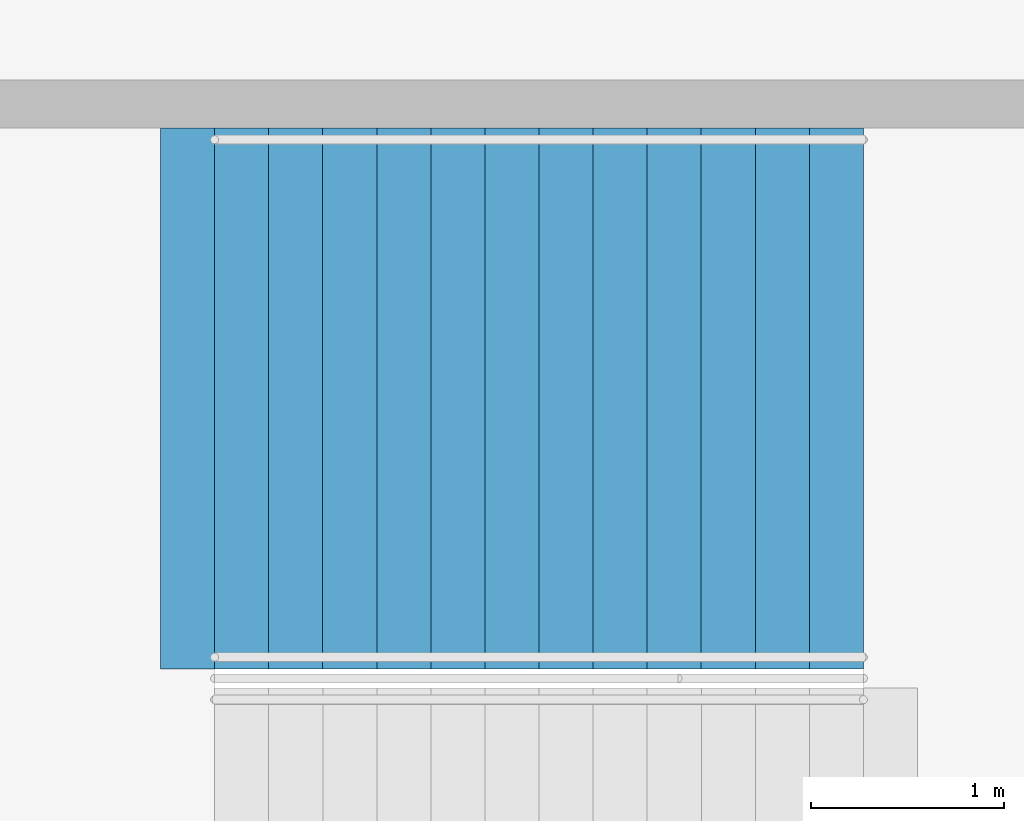
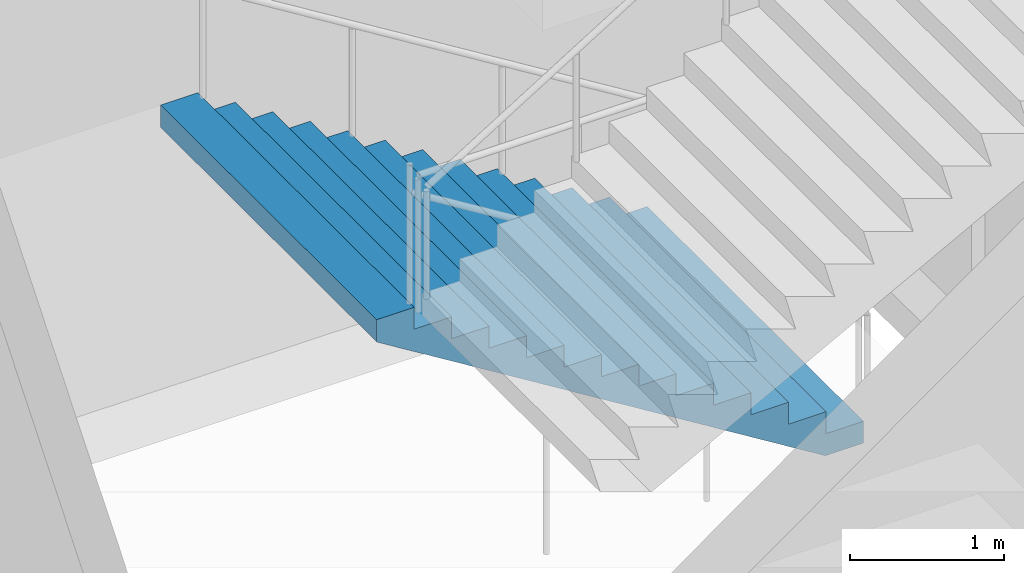
# One storey, part 130 of 199: 1 stair flight, 1 element without a shape of its own.
"""IFC4 building model written with IfcOpenShell, lengths in metres."""

from ifc_helpers import new_model, si_unit, direction, frame, origin, place, context, subcontext, project, spatial, faceted_brep, material, type_object, element, aggregate, save


model = new_model("IFC4")

# Units and contexts
model_context = context("Model", 3, precision=1e-05, world=origin(), true_north=direction((0.0, 1.0)))
body_context = subcontext(model_context, "Body", "Model", "MODEL_VIEW")
ifc_project = project(units=[si_unit("LENGTHUNIT", "METRE"), si_unit("AREAUNIT", "SQUARE_METRE"), si_unit("VOLUMEUNIT", "CUBIC_METRE"), si_unit("PLANEANGLEUNIT", "RADIAN"), si_unit("MASSUNIT", "GRAM", prefix="KILO")], contexts=[model_context])

# Site, building, storey
site_placement = place(None, origin())
site = spatial("IfcSite", under=ifc_project, at=site_placement, CompositionType="ELEMENT")
building_placement = place(site_placement, origin())
building = spatial("IfcBuilding", under=site, at=building_placement, Name="Ogive Plaza Stadium", CompositionType="ELEMENT")
storey_placement = place(building_placement, frame((0.0, 0.0, 9.0)))
storey = spatial("IfcBuildingStorey", under=building, at=storey_placement, Name="L02", CompositionType="ELEMENT", Elevation=9.0)

# Stair, stair flight
ifc_material_1 = material(Name="Concrete C40/50", Category="concrete")
stair_type = type_object("IfcStairType", Name="Exit stair", PredefinedType="STRAIGHT_RUN_STAIR", material=ifc_material_1)
stair_placement = place(storey_placement, origin())
stair = element("IfcStair", 1, at=stair_placement, inside=storey, type_object=stair_type, Name="Exit stair ST24A L02 to L03", PredefinedType="STRAIGHT_RUN_STAIR")
ifc_material_2 = material(Name="Concrete C40/50", Category="concrete")
stair_flight_type = type_object("IfcStairFlightType", Name="Exit stair flight", PredefinedType="STRAIGHT", material=ifc_material_2)
stair_flight_placement = place(storey_placement, frame((-76.35009765625, -3.074951171875, 0.0), z_axis=(0.0, 0.0, 1.0), x_axis=(-1.0, 0.0, 0.0)))
stair_flight = element("IfcStairFlight", 2, at=stair_flight_placement, type_object=stair_flight_type, Name="ST24A flight 1", NumberOfRisers=13, NumberOfTreads=12, PredefinedType="STRAIGHT", RiserHeight=0.173076923, TreadLength=0.28, context=body_context, shape_type="Brep", body=[
    faceted_brep([(0.28515625, -1.39990234375, 0.0), (3.639892578125, -1.39990234375, 2.07373046875), (3.639892578125, -1.39990234375, 2.25), (3.360107421875, -1.39990234375, 2.25), (3.360107421875, -1.39990234375, 2.076904296875), (3.080078125, -1.39990234375, 2.076904296875), (3.080078125, -1.39990234375, 1.90380859375), (2.800048828125, -1.39990234375, 1.90380859375), (2.800048828125, -1.39990234375, 1.730712890625), (2.52001953125, -1.39990234375, 1.730712890625), (2.52001953125, -1.39990234375, 1.5576171875), (2.239990234375, -1.39990234375, 1.5576171875), (2.239990234375, -1.39990234375, 1.384521484375), (1.9599609375, -1.39990234375, 1.384521484375), (1.9599609375, -1.39990234375, 1.21142578125), (1.679931640625, -1.39990234375, 1.21142578125), (1.679931640625, -1.39990234375, 1.03857421875), (1.39990234375, -1.39990234375, 1.03857421875), (1.39990234375, -1.39990234375, 0.865478515625), (1.1201171875, -1.39990234375, 0.865478515625), (1.1201171875, -1.39990234375, 0.6923828125), (0.840087890625, -1.39990234375, 0.6923828125), (0.840087890625, -1.39990234375, 0.519287109375), (0.56005859375, -1.39990234375, 0.519287109375), (0.56005859375, -1.39990234375, 0.34619140625), (0.280029296875, -1.39990234375, 0.34619140625), (0.280029296875, -1.39990234375, 0.173095703125), (0.0, -1.39990234375, 0.173095703125), (0.0, -1.39990234375, 0.0), (0.0, 1.39990234375, 0.0), (0.0, 1.39990234375, 0.173095703125), (0.280029296875, 1.39990234375, 0.173095703125), (0.280029296875, 1.39990234375, 0.34619140625), (0.56005859375, 1.39990234375, 0.34619140625), (0.56005859375, 1.39990234375, 0.519287109375), (0.840087890625, 1.39990234375, 0.519287109375), (0.840087890625, 1.39990234375, 0.6923828125), (1.1201171875, 1.39990234375, 0.6923828125), (1.1201171875, 1.39990234375, 0.865478515625), (1.39990234375, 1.39990234375, 0.865478515625), (1.39990234375, 1.39990234375, 1.03857421875), (1.679931640625, 1.39990234375, 1.03857421875), (1.679931640625, 1.39990234375, 1.21142578125), (1.9599609375, 1.39990234375, 1.21142578125), (1.9599609375, 1.39990234375, 1.384521484375), (2.239990234375, 1.39990234375, 1.384521484375), (2.239990234375, 1.39990234375, 1.5576171875), (2.52001953125, 1.39990234375, 1.5576171875), (2.52001953125, 1.39990234375, 1.730712890625), (2.800048828125, 1.39990234375, 1.730712890625), (2.800048828125, 1.39990234375, 1.90380859375), (3.080078125, 1.39990234375, 1.90380859375), (3.080078125, 1.39990234375, 2.076904296875), (3.360107421875, 1.39990234375, 2.076904296875), (3.360107421875, 1.39990234375, 2.25), (3.639892578125, 1.39990234375, 2.25), (3.639892578125, 1.39990234375, 2.07373046875), (0.28515625, 1.39990234375, 0.0), (0.28515625, -1.0888671875, 0.0), (3.639892578125, -1.0888671875, 2.07373046875), (0.28515625, -0.77783203125, 0.0), (3.639892578125, -0.77783203125, 2.07373046875), (0.28515625, -0.466796875, 0.0), (3.639892578125, -0.466796875, 2.07373046875), (0.28515625, -0.155517578125, 0.0), (3.639892578125, -0.155517578125, 2.07373046875), (0.28515625, 0.155517578125, 0.0), (3.639892578125, 0.155517578125, 2.07373046875), (0.28515625, 0.466796875, 0.0), (3.639892578125, 0.466796875, 2.07373046875), (0.28515625, 0.77783203125, 0.0), (3.639892578125, 0.77783203125, 2.07373046875), (0.28515625, 1.0888671875, 0.0), (3.639892578125, 1.0888671875, 2.07373046875), (3.639892578125, -1.0888671875, 2.25), (3.639892578125, -0.77783203125, 2.25), (3.639892578125, -0.466796875, 2.25), (3.639892578125, -0.155517578125, 2.25), (3.639892578125, 0.155517578125, 2.25), (3.639892578125, 0.466796875, 2.25), (3.639892578125, 0.77783203125, 2.25), (3.639892578125, 1.0888671875, 2.25), (3.360107421875, -1.0888671875, 2.25), (3.360107421875, -0.77783203125, 2.25), (3.360107421875, -0.466796875, 2.25), (3.360107421875, -0.155517578125, 2.25), (3.360107421875, 0.155517578125, 2.25), (3.360107421875, 0.466796875, 2.25), (3.360107421875, 0.77783203125, 2.25), (3.360107421875, 1.0888671875, 2.25), (3.360107421875, -1.0888671875, 2.076904296875), (3.360107421875, -0.77783203125, 2.076904296875), (3.360107421875, -0.466796875, 2.076904296875), (3.360107421875, -0.155517578125, 2.076904296875), (3.360107421875, 0.155517578125, 2.076904296875), (3.360107421875, 0.466796875, 2.076904296875), (3.360107421875, 0.77783203125, 2.076904296875), (3.360107421875, 1.0888671875, 2.076904296875), (3.080078125, -1.0888671875, 2.076904296875), (3.080078125, -0.77783203125, 2.076904296875), (3.080078125, -0.466796875, 2.076904296875), (3.080078125, -0.155517578125, 2.076904296875), (3.080078125, 0.155517578125, 2.076904296875), (3.080078125, 0.466796875, 2.076904296875), (3.080078125, 0.77783203125, 2.076904296875), (3.080078125, 1.0888671875, 2.076904296875), (3.080078125, -1.0888671875, 1.90380859375), (3.080078125, -0.77783203125, 1.90380859375), (3.080078125, -0.466796875, 1.90380859375), (3.080078125, -0.155517578125, 1.90380859375), (3.080078125, 0.155517578125, 1.90380859375), (3.080078125, 0.466796875, 1.90380859375), (3.080078125, 0.77783203125, 1.90380859375), (3.080078125, 1.0888671875, 1.90380859375), (2.800048828125, -1.0888671875, 1.90380859375), (2.800048828125, -0.77783203125, 1.90380859375), (2.800048828125, -0.466796875, 1.90380859375), (2.800048828125, -0.155517578125, 1.90380859375), (2.800048828125, 0.155517578125, 1.90380859375), (2.800048828125, 0.466796875, 1.90380859375), (2.800048828125, 0.77783203125, 1.90380859375), (2.800048828125, 1.0888671875, 1.90380859375), (2.800048828125, -1.0888671875, 1.730712890625), (2.800048828125, -0.77783203125, 1.730712890625), (2.800048828125, -0.466796875, 1.730712890625), (2.800048828125, -0.155517578125, 1.730712890625), (2.800048828125, 0.155517578125, 1.730712890625), (2.800048828125, 0.466796875, 1.730712890625), (2.800048828125, 0.77783203125, 1.730712890625), (2.800048828125, 1.0888671875, 1.730712890625), (2.52001953125, -1.0888671875, 1.730712890625), (2.52001953125, -0.77783203125, 1.730712890625), (2.52001953125, -0.466796875, 1.730712890625), (2.52001953125, -0.155517578125, 1.730712890625), (2.52001953125, 0.155517578125, 1.730712890625), (2.52001953125, 0.466796875, 1.730712890625), (2.52001953125, 0.77783203125, 1.730712890625), (2.52001953125, 1.0888671875, 1.730712890625), (2.52001953125, -1.0888671875, 1.5576171875), (2.52001953125, -0.77783203125, 1.5576171875), (2.52001953125, -0.466796875, 1.5576171875), (2.52001953125, -0.155517578125, 1.5576171875), (2.52001953125, 0.155517578125, 1.5576171875), (2.52001953125, 0.466796875, 1.5576171875), (2.52001953125, 0.77783203125, 1.5576171875), (2.52001953125, 1.0888671875, 1.5576171875), (2.239990234375, -1.0888671875, 1.5576171875), (2.239990234375, -0.77783203125, 1.5576171875), (2.239990234375, -0.466796875, 1.5576171875), (2.239990234375, -0.155517578125, 1.5576171875), (2.239990234375, 0.155517578125, 1.5576171875), (2.239990234375, 0.466796875, 1.5576171875), (2.239990234375, 0.77783203125, 1.5576171875), (2.239990234375, 1.0888671875, 1.5576171875), (2.239990234375, -1.0888671875, 1.384521484375), (2.239990234375, -0.77783203125, 1.384521484375), (2.239990234375, -0.466796875, 1.384521484375), (2.239990234375, -0.155517578125, 1.384521484375), (2.239990234375, 0.155517578125, 1.384521484375), (2.239990234375, 0.466796875, 1.384521484375), (2.239990234375, 0.77783203125, 1.384521484375), (2.239990234375, 1.0888671875, 1.384521484375), (1.9599609375, -1.0888671875, 1.384521484375), (1.9599609375, -0.77783203125, 1.384521484375), (1.9599609375, -0.466796875, 1.384521484375), (1.9599609375, -0.155517578125, 1.384521484375), (1.9599609375, 0.155517578125, 1.384521484375), (1.9599609375, 0.466796875, 1.384521484375), (1.9599609375, 0.77783203125, 1.384521484375), (1.9599609375, 1.0888671875, 1.384521484375), (1.9599609375, -1.0888671875, 1.21142578125), (1.9599609375, -0.77783203125, 1.21142578125), (1.9599609375, -0.466796875, 1.21142578125), (1.9599609375, -0.155517578125, 1.21142578125), (1.9599609375, 0.155517578125, 1.21142578125), (1.9599609375, 0.466796875, 1.21142578125), (1.9599609375, 0.77783203125, 1.21142578125), (1.9599609375, 1.0888671875, 1.21142578125), (1.679931640625, -1.0888671875, 1.21142578125), (1.679931640625, -0.77783203125, 1.21142578125), (1.679931640625, -0.466796875, 1.21142578125), (1.679931640625, -0.155517578125, 1.21142578125), (1.679931640625, 0.155517578125, 1.21142578125), (1.679931640625, 0.466796875, 1.21142578125), (1.679931640625, 0.77783203125, 1.21142578125), (1.679931640625, 1.0888671875, 1.21142578125), (1.679931640625, -1.0888671875, 1.03857421875), (1.679931640625, -0.77783203125, 1.03857421875), (1.679931640625, -0.466796875, 1.03857421875), (1.679931640625, -0.155517578125, 1.03857421875), (1.679931640625, 0.155517578125, 1.03857421875), (1.679931640625, 0.466796875, 1.03857421875), (1.679931640625, 0.77783203125, 1.03857421875), (1.679931640625, 1.0888671875, 1.03857421875), (1.39990234375, -1.0888671875, 1.03857421875), (1.39990234375, -0.77783203125, 1.03857421875), (1.39990234375, -0.466796875, 1.03857421875), (1.39990234375, -0.155517578125, 1.03857421875), (1.39990234375, 0.155517578125, 1.03857421875), (1.39990234375, 0.466796875, 1.03857421875), (1.39990234375, 0.77783203125, 1.03857421875), (1.39990234375, 1.0888671875, 1.03857421875), (1.39990234375, -1.0888671875, 0.865478515625), (1.39990234375, -0.77783203125, 0.865478515625), (1.39990234375, -0.466796875, 0.865478515625), (1.39990234375, -0.155517578125, 0.865478515625), (1.39990234375, 0.155517578125, 0.865478515625), (1.39990234375, 0.466796875, 0.865478515625), (1.39990234375, 0.77783203125, 0.865478515625), (1.39990234375, 1.0888671875, 0.865478515625), (1.1201171875, -1.0888671875, 0.865478515625), (1.1201171875, -0.77783203125, 0.865478515625), (1.1201171875, -0.466796875, 0.865478515625), (1.1201171875, -0.155517578125, 0.865478515625), (1.1201171875, 0.155517578125, 0.865478515625), (1.1201171875, 0.466796875, 0.865478515625), (1.1201171875, 0.77783203125, 0.865478515625), (1.1201171875, 1.0888671875, 0.865478515625), (1.1201171875, -1.0888671875, 0.6923828125), (1.1201171875, -0.77783203125, 0.6923828125), (1.1201171875, -0.466796875, 0.6923828125), (1.1201171875, -0.155517578125, 0.6923828125), (1.1201171875, 0.155517578125, 0.6923828125), (1.1201171875, 0.466796875, 0.6923828125), (1.1201171875, 0.77783203125, 0.6923828125), (1.1201171875, 1.0888671875, 0.6923828125), (0.840087890625, -1.0888671875, 0.6923828125), (0.840087890625, -0.77783203125, 0.6923828125), (0.840087890625, -0.466796875, 0.6923828125), (0.840087890625, -0.155517578125, 0.6923828125), (0.840087890625, 0.155517578125, 0.6923828125), (0.840087890625, 0.466796875, 0.6923828125), (0.840087890625, 0.77783203125, 0.6923828125), (0.840087890625, 1.0888671875, 0.6923828125), (0.840087890625, -1.0888671875, 0.519287109375), (0.840087890625, -0.77783203125, 0.519287109375), (0.840087890625, -0.466796875, 0.519287109375), (0.840087890625, -0.155517578125, 0.519287109375), (0.840087890625, 0.155517578125, 0.519287109375), (0.840087890625, 0.466796875, 0.519287109375), (0.840087890625, 0.77783203125, 0.519287109375), (0.840087890625, 1.0888671875, 0.519287109375), (0.56005859375, -1.0888671875, 0.519287109375), (0.56005859375, -0.77783203125, 0.519287109375), (0.56005859375, -0.466796875, 0.519287109375), (0.56005859375, -0.155517578125, 0.519287109375), (0.56005859375, 0.155517578125, 0.519287109375), (0.56005859375, 0.466796875, 0.519287109375), (0.56005859375, 0.77783203125, 0.519287109375), (0.56005859375, 1.0888671875, 0.519287109375), (0.56005859375, -1.0888671875, 0.34619140625), (0.56005859375, -0.77783203125, 0.34619140625), (0.56005859375, -0.466796875, 0.34619140625), (0.56005859375, -0.155517578125, 0.34619140625), (0.56005859375, 0.155517578125, 0.34619140625), (0.56005859375, 0.466796875, 0.34619140625), (0.56005859375, 0.77783203125, 0.34619140625), (0.56005859375, 1.0888671875, 0.34619140625), (0.280029296875, -1.0888671875, 0.34619140625), (0.280029296875, -0.77783203125, 0.34619140625), (0.280029296875, -0.466796875, 0.34619140625), (0.280029296875, -0.155517578125, 0.34619140625), (0.280029296875, 0.155517578125, 0.34619140625), (0.280029296875, 0.466796875, 0.34619140625), (0.280029296875, 0.77783203125, 0.34619140625), (0.280029296875, 1.0888671875, 0.34619140625), (0.280029296875, -1.0888671875, 0.173095703125), (0.280029296875, -0.77783203125, 0.173095703125), (0.280029296875, -0.466796875, 0.173095703125), (0.280029296875, -0.155517578125, 0.173095703125), (0.280029296875, 0.155517578125, 0.173095703125), (0.280029296875, 0.466796875, 0.173095703125), (0.280029296875, 0.77783203125, 0.173095703125), (0.280029296875, 1.0888671875, 0.173095703125), (0.0, -1.0888671875, 0.173095703125), (0.0, -0.77783203125, 0.173095703125), (0.0, -0.466796875, 0.173095703125), (0.0, -0.155517578125, 0.173095703125), (0.0, 0.155517578125, 0.173095703125), (0.0, 0.466796875, 0.173095703125), (0.0, 0.77783203125, 0.173095703125), (0.0, 1.0888671875, 0.173095703125), (0.0, -1.0888671875, 0.0), (0.0, -0.77783203125, 0.0), (0.0, -0.466796875, 0.0), (0.0, -0.155517578125, 0.0), (0.0, 0.155517578125, 0.0), (0.0, 0.466796875, 0.0), (0.0, 0.77783203125, 0.0), (0.0, 1.0888671875, 0.0)], [[[0, 1, 2, 3, 4, 5, 6, 7, 8, 9, 10, 11, 12, 13, 14, 15, 16, 17, 18, 19, 20, 21, 22, 23, 24, 25, 26, 27, 28]], [[29, 30, 31, 32, 33, 34, 35, 36, 37, 38, 39, 40, 41, 42, 43, 44, 45, 46, 47, 48, 49, 50, 51, 52, 53, 54, 55, 56, 57]], [[0, 58, 59, 1]], [[58, 60, 61, 59]], [[60, 62, 63, 61]], [[62, 64, 65, 63]], [[64, 66, 67, 65]], [[66, 68, 69, 67]], [[68, 70, 71, 69]], [[70, 72, 73, 71]], [[72, 57, 56, 73]], [[1, 59, 74, 2]], [[59, 61, 75, 74]], [[61, 63, 76, 75]], [[63, 65, 77, 76]], [[65, 67, 78, 77]], [[67, 69, 79, 78]], [[69, 71, 80, 79]], [[71, 73, 81, 80]], [[73, 56, 55, 81]], [[2, 74, 82, 3]], [[74, 75, 83, 82]], [[75, 76, 84, 83]], [[76, 77, 85, 84]], [[77, 78, 86, 85]], [[78, 79, 87, 86]], [[79, 80, 88, 87]], [[80, 81, 89, 88]], [[81, 55, 54, 89]], [[3, 82, 90, 4]], [[82, 83, 91, 90]], [[83, 84, 92, 91]], [[84, 85, 93, 92]], [[85, 86, 94, 93]], [[86, 87, 95, 94]], [[87, 88, 96, 95]], [[88, 89, 97, 96]], [[89, 54, 53, 97]], [[4, 90, 98, 5]], [[90, 91, 99, 98]], [[91, 92, 100, 99]], [[92, 93, 101, 100]], [[93, 94, 102, 101]], [[94, 95, 103, 102]], [[95, 96, 104, 103]], [[96, 97, 105, 104]], [[97, 53, 52, 105]], [[5, 98, 106, 6]], [[98, 99, 107, 106]], [[99, 100, 108, 107]], [[100, 101, 109, 108]], [[101, 102, 110, 109]], [[102, 103, 111, 110]], [[103, 104, 112, 111]], [[104, 105, 113, 112]], [[105, 52, 51, 113]], [[6, 106, 114, 7]], [[106, 107, 115, 114]], [[107, 108, 116, 115]], [[108, 109, 117, 116]], [[109, 110, 118, 117]], [[110, 111, 119, 118]], [[111, 112, 120, 119]], [[112, 113, 121, 120]], [[113, 51, 50, 121]], [[7, 114, 122, 8]], [[114, 115, 123, 122]], [[115, 116, 124, 123]], [[116, 117, 125, 124]], [[117, 118, 126, 125]], [[118, 119, 127, 126]], [[119, 120, 128, 127]], [[120, 121, 129, 128]], [[121, 50, 49, 129]], [[8, 122, 130, 9]], [[122, 123, 131, 130]], [[123, 124, 132, 131]], [[124, 125, 133, 132]], [[125, 126, 134, 133]], [[126, 127, 135, 134]], [[127, 128, 136, 135]], [[128, 129, 137, 136]], [[129, 49, 48, 137]], [[9, 130, 138, 10]], [[130, 131, 139, 138]], [[131, 132, 140, 139]], [[132, 133, 141, 140]], [[133, 134, 142, 141]], [[134, 135, 143, 142]], [[135, 136, 144, 143]], [[136, 137, 145, 144]], [[137, 48, 47, 145]], [[10, 138, 146, 11]], [[138, 139, 147, 146]], [[139, 140, 148, 147]], [[140, 141, 149, 148]], [[141, 142, 150, 149]], [[142, 143, 151, 150]], [[143, 144, 152, 151]], [[144, 145, 153, 152]], [[145, 47, 46, 153]], [[11, 146, 154, 12]], [[146, 147, 155, 154]], [[147, 148, 156, 155]], [[148, 149, 157, 156]], [[149, 150, 158, 157]], [[150, 151, 159, 158]], [[151, 152, 160, 159]], [[152, 153, 161, 160]], [[153, 46, 45, 161]], [[12, 154, 162, 13]], [[154, 155, 163, 162]], [[155, 156, 164, 163]], [[156, 157, 165, 164]], [[157, 158, 166, 165]], [[158, 159, 167, 166]], [[159, 160, 168, 167]], [[160, 161, 169, 168]], [[161, 45, 44, 169]], [[13, 162, 170, 14]], [[162, 163, 171, 170]], [[163, 164, 172, 171]], [[164, 165, 173, 172]], [[165, 166, 174, 173]], [[166, 167, 175, 174]], [[167, 168, 176, 175]], [[168, 169, 177, 176]], [[169, 44, 43, 177]], [[14, 170, 178, 15]], [[170, 171, 179, 178]], [[171, 172, 180, 179]], [[172, 173, 181, 180]], [[173, 174, 182, 181]], [[174, 175, 183, 182]], [[175, 176, 184, 183]], [[176, 177, 185, 184]], [[177, 43, 42, 185]], [[15, 178, 186, 16]], [[178, 179, 187, 186]], [[179, 180, 188, 187]], [[180, 181, 189, 188]], [[181, 182, 190, 189]], [[182, 183, 191, 190]], [[183, 184, 192, 191]], [[184, 185, 193, 192]], [[185, 42, 41, 193]], [[16, 186, 194, 17]], [[186, 187, 195, 194]], [[187, 188, 196, 195]], [[188, 189, 197, 196]], [[189, 190, 198, 197]], [[190, 191, 199, 198]], [[191, 192, 200, 199]], [[192, 193, 201, 200]], [[193, 41, 40, 201]], [[17, 194, 202, 18]], [[194, 195, 203, 202]], [[195, 196, 204, 203]], [[196, 197, 205, 204]], [[197, 198, 206, 205]], [[198, 199, 207, 206]], [[199, 200, 208, 207]], [[200, 201, 209, 208]], [[201, 40, 39, 209]], [[18, 202, 210, 19]], [[202, 203, 211, 210]], [[203, 204, 212, 211]], [[204, 205, 213, 212]], [[205, 206, 214, 213]], [[206, 207, 215, 214]], [[207, 208, 216, 215]], [[208, 209, 217, 216]], [[209, 39, 38, 217]], [[19, 210, 218, 20]], [[210, 211, 219, 218]], [[211, 212, 220, 219]], [[212, 213, 221, 220]], [[213, 214, 222, 221]], [[214, 215, 223, 222]], [[215, 216, 224, 223]], [[216, 217, 225, 224]], [[217, 38, 37, 225]], [[20, 218, 226, 21]], [[218, 219, 227, 226]], [[219, 220, 228, 227]], [[220, 221, 229, 228]], [[221, 222, 230, 229]], [[222, 223, 231, 230]], [[223, 224, 232, 231]], [[224, 225, 233, 232]], [[225, 37, 36, 233]], [[21, 226, 234, 22]], [[226, 227, 235, 234]], [[227, 228, 236, 235]], [[228, 229, 237, 236]], [[229, 230, 238, 237]], [[230, 231, 239, 238]], [[231, 232, 240, 239]], [[232, 233, 241, 240]], [[233, 36, 35, 241]], [[22, 234, 242, 23]], [[234, 235, 243, 242]], [[235, 236, 244, 243]], [[236, 237, 245, 244]], [[237, 238, 246, 245]], [[238, 239, 247, 246]], [[239, 240, 248, 247]], [[240, 241, 249, 248]], [[241, 35, 34, 249]], [[23, 242, 250, 24]], [[242, 243, 251, 250]], [[243, 244, 252, 251]], [[244, 245, 253, 252]], [[245, 246, 254, 253]], [[246, 247, 255, 254]], [[247, 248, 256, 255]], [[248, 249, 257, 256]], [[249, 34, 33, 257]], [[24, 250, 258, 25]], [[250, 251, 259, 258]], [[251, 252, 260, 259]], [[252, 253, 261, 260]], [[253, 254, 262, 261]], [[254, 255, 263, 262]], [[255, 256, 264, 263]], [[256, 257, 265, 264]], [[257, 33, 32, 265]], [[25, 258, 266, 26]], [[258, 259, 267, 266]], [[259, 260, 268, 267]], [[260, 261, 269, 268]], [[261, 262, 270, 269]], [[262, 263, 271, 270]], [[263, 264, 272, 271]], [[264, 265, 273, 272]], [[265, 32, 31, 273]], [[26, 266, 274, 27]], [[266, 267, 275, 274]], [[267, 268, 276, 275]], [[268, 269, 277, 276]], [[269, 270, 278, 277]], [[270, 271, 279, 278]], [[271, 272, 280, 279]], [[272, 273, 281, 280]], [[273, 31, 30, 281]], [[27, 274, 282, 28]], [[274, 275, 283, 282]], [[275, 276, 284, 283]], [[276, 277, 285, 284]], [[277, 278, 286, 285]], [[278, 279, 287, 286]], [[279, 280, 288, 287]], [[280, 281, 289, 288]], [[281, 30, 29, 289]], [[28, 282, 58, 0]], [[282, 283, 60, 58]], [[283, 284, 62, 60]], [[284, 285, 64, 62]], [[285, 286, 66, 64]], [[286, 287, 68, 66]], [[287, 288, 70, 68]], [[288, 289, 72, 70]], [[289, 29, 57, 72]]]),
])
aggregate(stair, [stair_flight])

save(model, "model.ifc")
